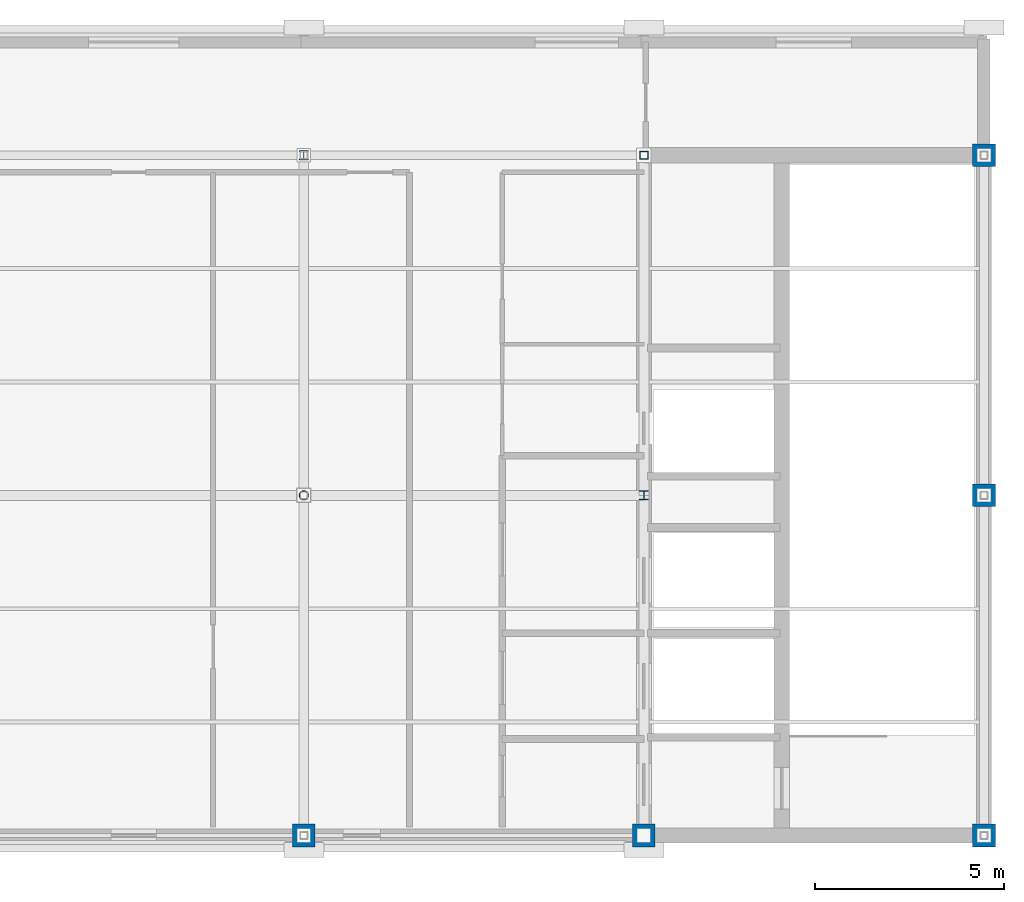
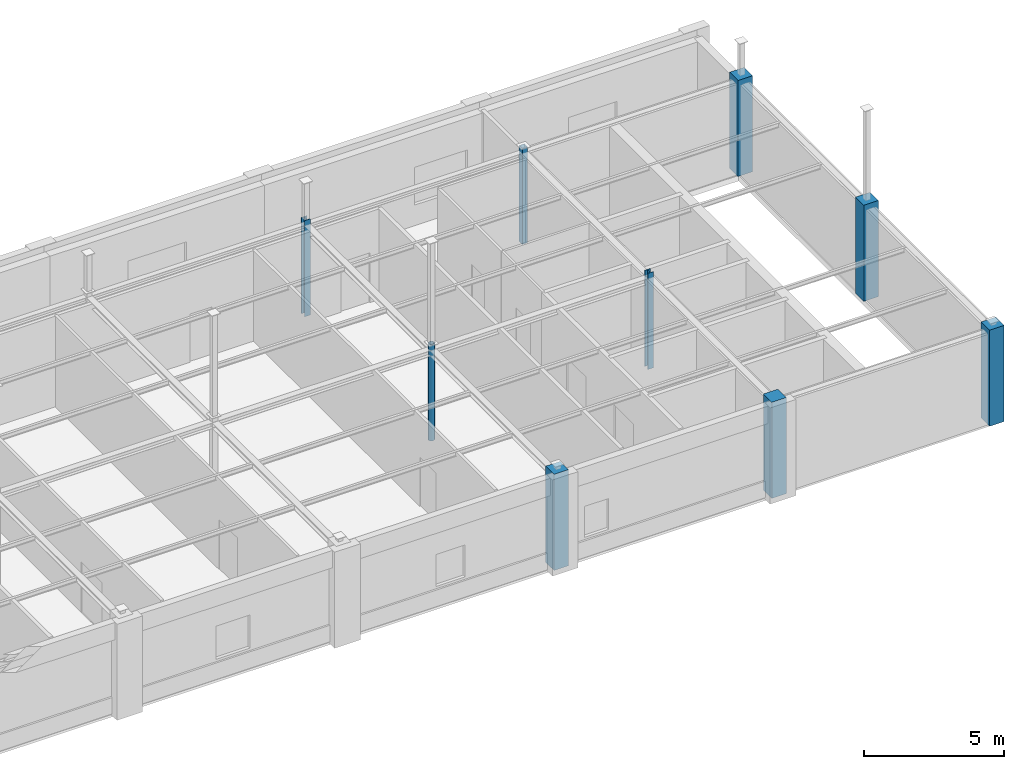
# One storey, part 2 of 13: 9 columns.
"""IFC4 building model written with IfcOpenShell, lengths in metres."""

from ifc_helpers import new_model, si_unit, direction, frame, origin, origin_2d, place, context, subcontext, project, spatial, rectangle, hollow_rectangle, hollow_circle, i_section, extrude, material, material_profile, profile_set, type_object, element, save


model = new_model("IFC4")

# Units and contexts
model_context = context("Model", 3, precision=1e-05, world=origin(), true_north=direction((0.0, 1.0)))
body_context = subcontext(model_context, "Body", "Model", "MODEL_VIEW")
ifc_project = project(units=[si_unit("LENGTHUNIT", "METRE"), si_unit("AREAUNIT", "SQUARE_METRE"), si_unit("VOLUMEUNIT", "CUBIC_METRE"), si_unit("PLANEANGLEUNIT", "RADIAN"), si_unit("MASSUNIT", "GRAM", prefix="KILO")], contexts=[model_context])

# Site, building, storey
site_placement = place(None, origin())
site = spatial("IfcSite", under=ifc_project, at=site_placement, CompositionType="ELEMENT")
building_placement = place(site_placement, origin())
building = spatial("IfcBuilding", under=site, at=building_placement, Name="Lykobir Media Centre", CompositionType="ELEMENT")
storey_placement = place(building_placement, frame((0.0, 0.0, 36.0)))
storey = spatial("IfcBuildingStorey", under=building, at=storey_placement, Name="L08", CompositionType="ELEMENT", Elevation=36.0)

# Columns
ifc_material_1 = material(Name="Concrete C40/50", Category="concrete")
ifc_material_profile_1 = material_profile(ifc_material_1, rectangle(XDim=0.60009765625, YDim=0.60009765625, at=origin_2d()), Name="RC 600x600")
ifc_profile_set_1 = profile_set([ifc_material_profile_1], Name="Concrete C40/50")
column_type_1 = type_object("IfcColumnType", Name="RC-C600-E", PredefinedType="COLUMN", material=ifc_profile_set_1)
for number, where, z_axis, x_axis, name in (
    (1, (63.0, 0.0, 0.0), (0.0, 0.0, 1.0), (1.0, 0.0, 0.0), "Column COL-L08-0630-0000"),
    (2, (72.0, 0.0, 0.0), (0.0, 0.0, 1.0), (1.0, 0.0, 0.0), "Column COL-L08-0720-0000"),
    (3, (81.0, 0.0, 0.0), (0.0, 0.0, 1.0), (1.0, 0.0, 0.0), "Column COL-L08-0810-0000"),
    (4, (81.0, 9.0, 0.0), (0.0, 0.0, 1.0), (1.0, 0.0, 0.0), "Column COL-L08-0810-0090"),
    (5, (81.0, 18.0, 0.0), (0.0, 0.0, 1.0), (1.0, 0.0, 0.0), "Column COL-L08-0810-0180"),
):
    element("IfcColumn", number, at=place(storey_placement, frame(where, z_axis=z_axis, x_axis=x_axis)), inside=storey, type_object=column_type_1, Name=name, PredefinedType="COLUMN", context=body_context, shape_type="SweptSolid", body=[
        extrude(rectangle(XDim=0.60009765625, YDim=0.60009765625, at=origin_2d()), origin(), (0.0, 0.0, 1.0), 4.199951171875),
    ])
ifc_material_2 = material(Name="Steel S355", Category="steel")
ifc_material_profile_2 = material_profile(ifc_material_2, hollow_circle(Radius=0.122314453125, WallThickness=0.012451171875, at=origin_2d()), Name="CHS 244.5x12.5")
ifc_profile_set_2 = profile_set([ifc_material_profile_2], Name="Steel S355")
column_type_2 = type_object("IfcColumnType", Name="SC-CHS244", PredefinedType="COLUMN", material=ifc_profile_set_2)
column_1_placement = place(storey_placement, frame((63.0, 9.0, 0.0), z_axis=(0.0, 0.0, 1.0), x_axis=(1.0, 0.0, 0.0)))
element("IfcColumn", 6, at=column_1_placement, inside=storey, type_object=column_type_2, Name="Column COL-L08-0630-0090", PredefinedType="COLUMN", context=body_context, shape_type="SweptSolid", body=[
    extrude(hollow_circle(Radius=0.122314453125, WallThickness=0.012451171875, at=origin_2d()), origin(), (0.0, 0.0, 1.0), 4.199951171875),
])
ifc_material_profile_3 = material_profile(ifc_material_2, i_section(OverallWidth=0.239990234375, OverallDepth=0.239990234375, WebThickness=0.010009765625, FlangeThickness=0.01708984375, at=origin_2d()), Name="HEB 240")
ifc_profile_set_3 = profile_set([ifc_material_profile_3], Name="Steel S355")
column_type_3 = type_object("IfcColumnType", Name="SC-HEB240", PredefinedType="COLUMN", material=ifc_profile_set_3)
for number, where, z_axis, x_axis, name in (
    (7, (63.0, 18.0, 0.0), (0.0, 0.0, 1.0), (1.0, 0.0, 0.0), "Column COL-L08-0630-0180"),
    (8, (72.0, 9.0, 0.0), (0.0, 0.0, 1.0), (1.0, 0.0, 0.0), "Column COL-L08-0720-0090"),
):
    element("IfcColumn", number, at=place(storey_placement, frame(where, z_axis=z_axis, x_axis=x_axis)), inside=storey, type_object=column_type_3, Name=name, PredefinedType="COLUMN", context=body_context, shape_type="SweptSolid", body=[
        extrude(i_section(OverallWidth=0.239990234375, OverallDepth=0.239990234375, WebThickness=0.010009765625, FlangeThickness=0.01708984375, at=origin_2d()), origin(), (0.0, 0.0, 1.0), 4.199951171875),
    ])
ifc_material_profile_4 = material_profile(ifc_material_2, hollow_rectangle(XDim=0.219970703125, YDim=0.219970703125, WallThickness=0.012451171875, at=origin_2d()), Name="SHS 220x220x12.5")
ifc_profile_set_4 = profile_set([ifc_material_profile_4], Name="Steel S355")
column_type_4 = type_object("IfcColumnType", Name="SC-SHS220", PredefinedType="COLUMN", material=ifc_profile_set_4)
column_2_placement = place(storey_placement, frame((72.0, 18.0, 0.0), z_axis=(0.0, 0.0, 1.0), x_axis=(1.0, 0.0, 0.0)))
element("IfcColumn", 9, at=column_2_placement, inside=storey, type_object=column_type_4, Name="Column COL-L08-0720-0180", PredefinedType="COLUMN", context=body_context, shape_type="SweptSolid", body=[
    extrude(hollow_rectangle(XDim=0.219970703125, YDim=0.219970703125, WallThickness=0.012451171875, at=origin_2d()), origin(), (0.0, 0.0, 1.0), 4.199951171875),
])

save(model, "model.ifc")
